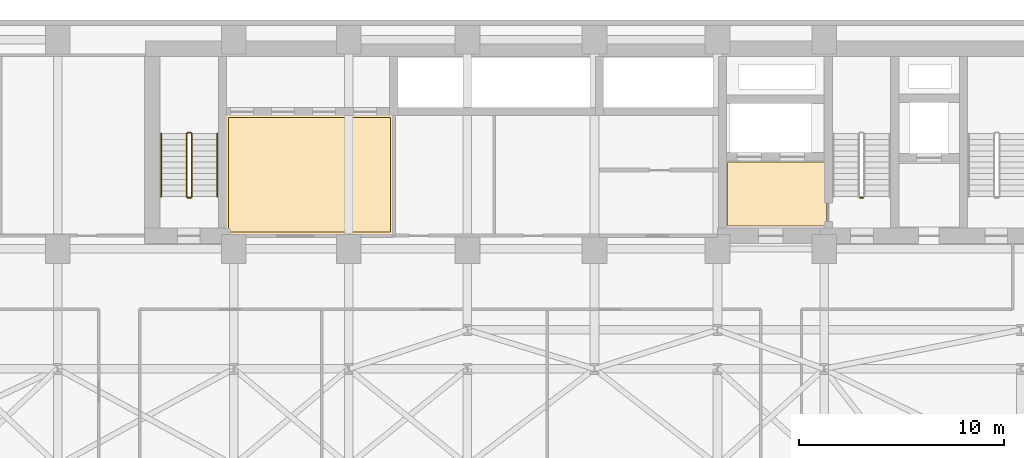
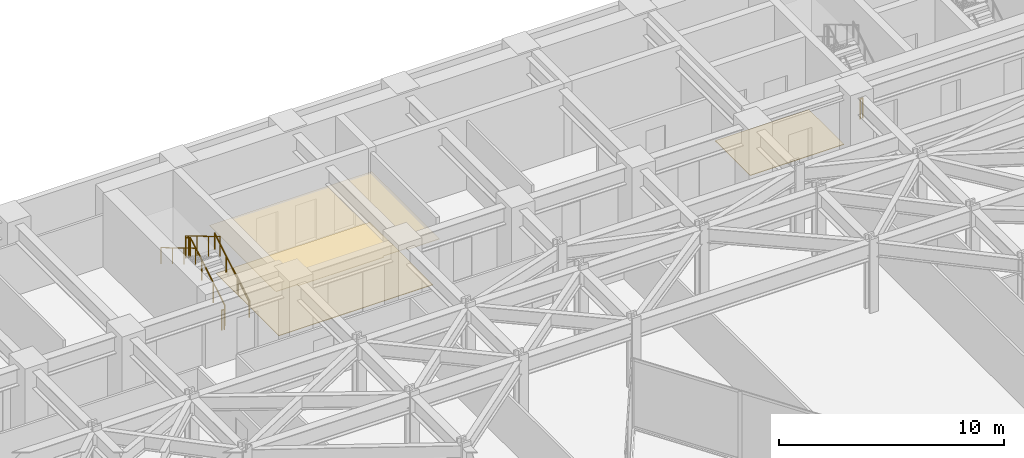
# One storey, part 22 of 25: 7 railings, 3 coverings.
"""IFC4 building model written with IfcOpenShell, lengths in metres."""

from ifc_helpers import new_model, si_unit, direction, frame, origin, origin_2d, place, context, subcontext, project, spatial, polyline, circle, outline, extrude, material, layer, layer_set, type_object, element, save


model = new_model("IFC4")

# Units and contexts
model_context = context("Model", 3, precision=1e-05, world=origin(), true_north=direction((0.0, 1.0)))
body_context = subcontext(model_context, "Body", "Model", "MODEL_VIEW")
ifc_project = project(units=[si_unit("LENGTHUNIT", "METRE"), si_unit("AREAUNIT", "SQUARE_METRE"), si_unit("VOLUMEUNIT", "CUBIC_METRE"), si_unit("PLANEANGLEUNIT", "RADIAN"), si_unit("MASSUNIT", "GRAM", prefix="KILO")], contexts=[model_context])

# Site, building, storey
site_placement = place(None, origin())
site = spatial("IfcSite", under=ifc_project, at=site_placement, CompositionType="ELEMENT")
building_placement = place(site_placement, origin())
building = spatial("IfcBuilding", under=site, at=building_placement, Name="Kravanh Interchange Tower", CompositionType="ELEMENT")
storey_placement = place(building_placement, frame((0.0, 0.0, 29.5)))
storey = spatial("IfcBuildingStorey", under=building, at=storey_placement, Name="L06", CompositionType="ELEMENT", Elevation=29.5)

# Coverings
ifc_material_1 = material(Name="Cementitious Terrazzo Tile")
ifc_layer_1 = layer(ifc_material_1, 0.030029296875)
ifc_layer_set_1 = layer_set([ifc_layer_1], Name="Honed Terrazzo Lobby Flooring 30mm")
covering_type_1 = type_object("IfcCoveringType", Name="Honed Terrazzo Lobby Flooring 30mm", PredefinedType="FLOORING", material=ifc_layer_set_1)
covering_1_placement = place(storey_placement, origin())
element("IfcCovering", 1, at=covering_1_placement, inside=storey, type_object=covering_type_1, Name="L06 Firefighting Lobby Floor Finish", PredefinedType="FLOORING", context=body_context, shape_type="SweptSolid", body=[
    extrude(outline(polyline([(56.1201171875, 38.4599609375), (51.300048828125, 38.4599609375), (51.300048828125, 41.580078125), (56.1201171875, 41.580078125), (56.1201171875, 38.4599609375)])), origin(), (0.0, 0.0, 1.0), 0.030029296875),
])
covering_2_placement = place(storey_placement, origin())
element("IfcCovering", 2, at=covering_2_placement, inside=storey, type_object=covering_type_1, Name="L06 Low-Rise Lift Lobby Floor Finish", PredefinedType="FLOORING", context=body_context, shape_type="SweptSolid", body=[
    extrude(outline(polyline([(26.929931640625, 43.77001953125), (34.840087890625, 43.77001953125), (34.840087890625, 38.179931640625), (26.929931640625, 38.179931640625), (26.929931640625, 43.77001953125)])), origin(), (0.0, 0.0, 1.0), 0.030029296875),
])
ifc_material_2 = material(Name="Acoustic Mineral Fibre Tile on Aluminium Grid", Category="aluminium")
ifc_layer_2 = layer(ifc_material_2, 0.02490234375)
ifc_layer_set_2 = layer_set([ifc_layer_2], Name="Perforated Acoustic Mineral Ceiling 25mm")
covering_type_2 = type_object("IfcCoveringType", Name="Perforated Acoustic Mineral Ceiling 25mm", PredefinedType="CEILING", material=ifc_layer_set_2)
covering_3_placement = place(storey_placement, frame((0.0, 0.0, 2.550048828125)))
element("IfcCovering", 3, at=covering_3_placement, inside=storey, type_object=covering_type_2, Name="L06 Low-Rise Lift Lobby Suspended Ceiling", PredefinedType="CEILING", context=body_context, shape_type="SweptSolid", body=[
    extrude(outline(polyline([(35.06005859375, 37.9599609375), (33.39990234375, 37.9599609375), (33.39990234375, 38.050048828125), (32.199951171875, 38.050048828125), (32.199951171875, 37.9599609375), (27.800048828125, 37.9599609375), (27.800048828125, 38.050048828125), (26.7099609375, 38.050048828125), (26.7099609375, 43.989990234375), (35.06005859375, 43.989990234375), (35.06005859375, 37.9599609375)])), origin(), (0.0, 0.0, 1.0), 0.02490234375),
])

# Railings
ifc_material_3 = material(Name="Structural Steel S355", Category="steel")
ifc_layer_3 = layer(ifc_material_3, 0.050048828125)
ifc_layer_set_3 = layer_set([ifc_layer_3], Name="Stair Well Guardrail Structural Steel S355 1100mm")
railing_type_1 = type_object("IfcRailingType", Name="Stair Well Guardrail Structural Steel S355 1100mm", PredefinedType="GUARDRAIL", material=ifc_layer_set_3)
railing_1_placement = place(storey_placement, frame((57.89990234375, 39.85009765625, 0.0)))
element("IfcRailing", 4, at=railing_1_placement, inside=storey, type_object=railing_type_1, Name="L06 ST2 stair guard 4", PredefinedType="GUARDRAIL", context=body_context, shape_type="SweptSolid", body=[
    extrude(circle(Radius=0.02392578125, at=origin_2d()), frame((0.0, 0.0, 1.076171875), z_axis=(-1.0, 0.0, 0.0), x_axis=(0.0, -1.0, 0.0)), (0.0, 0.0, 1.0), 0.14990234375),
    extrude(circle(Radius=0.02099609375, at=origin_2d()), origin(), (0.0, 0.0, 1.0), 1.052001953125),
    extrude(circle(Radius=0.02099609375, at=origin_2d()), frame((-0.14990234375, 0.0, 0.0)), (0.0, 0.0, 1.0), 1.052001953125),
])
railing_2_placement = place(storey_placement, frame((25.14990234375, 39.89990234375, 0.166748046875)))
element("IfcRailing", 5, at=railing_2_placement, inside=storey, type_object=railing_type_1, Name="L06 ST3 stair guard 1", PredefinedType="GUARDRAIL", context=body_context, shape_type="SweptSolid", body=[
    extrude(circle(Radius=0.02392578125, at=origin_2d()), frame((0.0, 0.0, 1.076171875), z_axis=(0.0, 0.859308565015, 0.511457515432), x_axis=(-1.0, 0.0, 0.0)), (0.0, 0.0, 1.0), 3.58447265625),
    extrude(circle(Radius=0.02099609375, at=origin_2d()), origin(), (0.0, 0.0, 1.0), 1.052001953125),
    extrude(circle(Radius=0.02099609375, at=origin_2d()), frame((0.0, 1.026611328125, 0.611083984375)), (0.0, 0.0, 1.0), 1.052001953125),
    extrude(circle(Radius=0.02099609375, at=origin_2d()), frame((0.0, 2.053466796875, 1.22216796875)), (0.0, 0.0, 1.0), 1.052001953125),
    extrude(circle(Radius=0.02099609375, at=origin_2d()), frame((0.0, 3.080078125, 1.833251953125)), (0.0, 0.0, 1.0), 1.052001953125),
])
railing_3_placement = place(storey_placement, frame((25.10009765625, 43.030029296875, 2.0)))
element("IfcRailing", 6, at=railing_3_placement, inside=storey, type_object=railing_type_1, Name="L06 ST3 stair guard 2", PredefinedType="GUARDRAIL", context=body_context, shape_type="SweptSolid", body=[
    extrude(circle(Radius=0.02392578125, at=origin_2d()), frame((0.0, 0.0, 1.076171875), z_axis=(-1.0, 0.0, 0.0), x_axis=(0.0, -1.0, 0.0)), (0.0, 0.0, 1.0), 0.150146484375),
    extrude(circle(Radius=0.02099609375, at=origin_2d()), origin(), (0.0, 0.0, 1.0), 1.052001953125),
    extrude(circle(Radius=0.02099609375, at=origin_2d()), frame((-0.150146484375, 0.0, 0.0)), (0.0, 0.0, 1.0), 1.052001953125),
])
railing_4_placement = place(storey_placement, frame((24.89990234375, 42.97998046875, 2.166748046875)))
element("IfcRailing", 7, at=railing_4_placement, inside=storey, type_object=railing_type_1, Name="L06 ST3 stair guard 3", PredefinedType="GUARDRAIL", context=body_context, shape_type="SweptSolid", body=[
    extrude(circle(Radius=0.02392578125, at=origin_2d()), frame((0.0, 0.0, 1.076171875), z_axis=(0.0, -0.859308565015, 0.511457515432), x_axis=(1.0, 0.0, 0.0)), (0.0, 0.0, 1.0), 3.58447265625),
    extrude(circle(Radius=0.02099609375, at=origin_2d()), origin(), (0.0, 0.0, 1.0), 1.052001953125),
    extrude(circle(Radius=0.02099609375, at=origin_2d()), frame((0.0, -1.026611328125, 0.611083984375)), (0.0, 0.0, 1.0), 1.052001953125),
    extrude(circle(Radius=0.02099609375, at=origin_2d()), frame((0.0, -2.053466796875, 1.22216796875)), (0.0, 0.0, 1.0), 1.052001953125),
    extrude(circle(Radius=0.02099609375, at=origin_2d()), frame((0.0, -3.080078125, 1.833251953125)), (0.0, 0.0, 1.0), 1.052001953125),
])
railing_5_placement = place(storey_placement, frame((25.10009765625, 39.85009765625, 0.0)))
element("IfcRailing", 8, at=railing_5_placement, inside=storey, type_object=railing_type_1, Name="L06 ST3 stair guard 4", PredefinedType="GUARDRAIL", context=body_context, shape_type="SweptSolid", body=[
    extrude(circle(Radius=0.02392578125, at=origin_2d()), frame((0.0, 0.0, 1.076171875), z_axis=(-1.0, 0.0, 0.0), x_axis=(0.0, -1.0, 0.0)), (0.0, 0.0, 1.0), 0.150146484375),
    extrude(circle(Radius=0.02099609375, at=origin_2d()), origin(), (0.0, 0.0, 1.0), 1.052001953125),
    extrude(circle(Radius=0.02099609375, at=origin_2d()), frame((-0.150146484375, 0.0, 0.0)), (0.0, 0.0, 1.0), 1.052001953125),
])
ifc_material_4 = material(Name="Stainless Steel 304", Category="steel")
ifc_layer_4 = layer(ifc_material_4, 0.044921875)
ifc_layer_set_4 = layer_set([ifc_layer_4], Name="Tubular Stair Handrail Stainless 304 900mm")
railing_type_2 = type_object("IfcRailingType", Name="Tubular Stair Handrail Stainless 304 900mm", PredefinedType="HANDRAIL", material=ifc_layer_set_4)
railing_6_placement = place(storey_placement, frame((26.39990234375, 39.89990234375, 0.166748046875)))
element("IfcRailing", 9, at=railing_6_placement, inside=storey, type_object=railing_type_2, Name="L06 ST3 stair handrail 1", PredefinedType="HANDRAIL", context=body_context, shape_type="SweptSolid", body=[
    extrude(circle(Radius=0.02392578125, at=origin_2d()), frame((0.0, 0.0, 0.8759765625), z_axis=(0.0, 0.859308565015, 0.511457515432), x_axis=(-1.0, 0.0, 0.0)), (0.0, 0.0, 1.0), 3.58447265625),
    extrude(circle(Radius=0.02099609375, at=origin_2d()), origin(), (0.0, 0.0, 1.0), 0.851806640625),
    extrude(circle(Radius=0.02099609375, at=origin_2d()), frame((0.0, 1.026611328125, 0.611083984375)), (0.0, 0.0, 1.0), 0.851806640625),
    extrude(circle(Radius=0.02099609375, at=origin_2d()), frame((0.0, 2.053466796875, 1.22216796875)), (0.0, 0.0, 1.0), 0.851806640625),
    extrude(circle(Radius=0.02099609375, at=origin_2d()), frame((0.0, 3.080078125, 1.833251953125)), (0.0, 0.0, 1.0), 0.851806640625),
])
railing_7_placement = place(storey_placement, frame((23.64990234375, 42.97998046875, 2.166748046875)))
element("IfcRailing", 10, at=railing_7_placement, inside=storey, type_object=railing_type_2, Name="L06 ST3 stair handrail 2", PredefinedType="HANDRAIL", context=body_context, shape_type="SweptSolid", body=[
    extrude(circle(Radius=0.02392578125, at=origin_2d()), frame((0.0, 0.0, 0.8759765625), z_axis=(0.0, -0.859308565015, 0.511457515432), x_axis=(1.0, 0.0, 0.0)), (0.0, 0.0, 1.0), 3.58447265625),
    extrude(circle(Radius=0.02099609375, at=origin_2d()), origin(), (0.0, 0.0, 1.0), 0.851806640625),
    extrude(circle(Radius=0.02099609375, at=origin_2d()), frame((0.0, -1.026611328125, 0.611083984375)), (0.0, 0.0, 1.0), 0.851806640625),
    extrude(circle(Radius=0.02099609375, at=origin_2d()), frame((0.0, -2.053466796875, 1.22216796875)), (0.0, 0.0, 1.0), 0.851806640625),
    extrude(circle(Radius=0.02099609375, at=origin_2d()), frame((0.0, -3.080078125, 1.833251953125)), (0.0, 0.0, 1.0), 0.851806640625),
])

save(model, "model.ifc")
